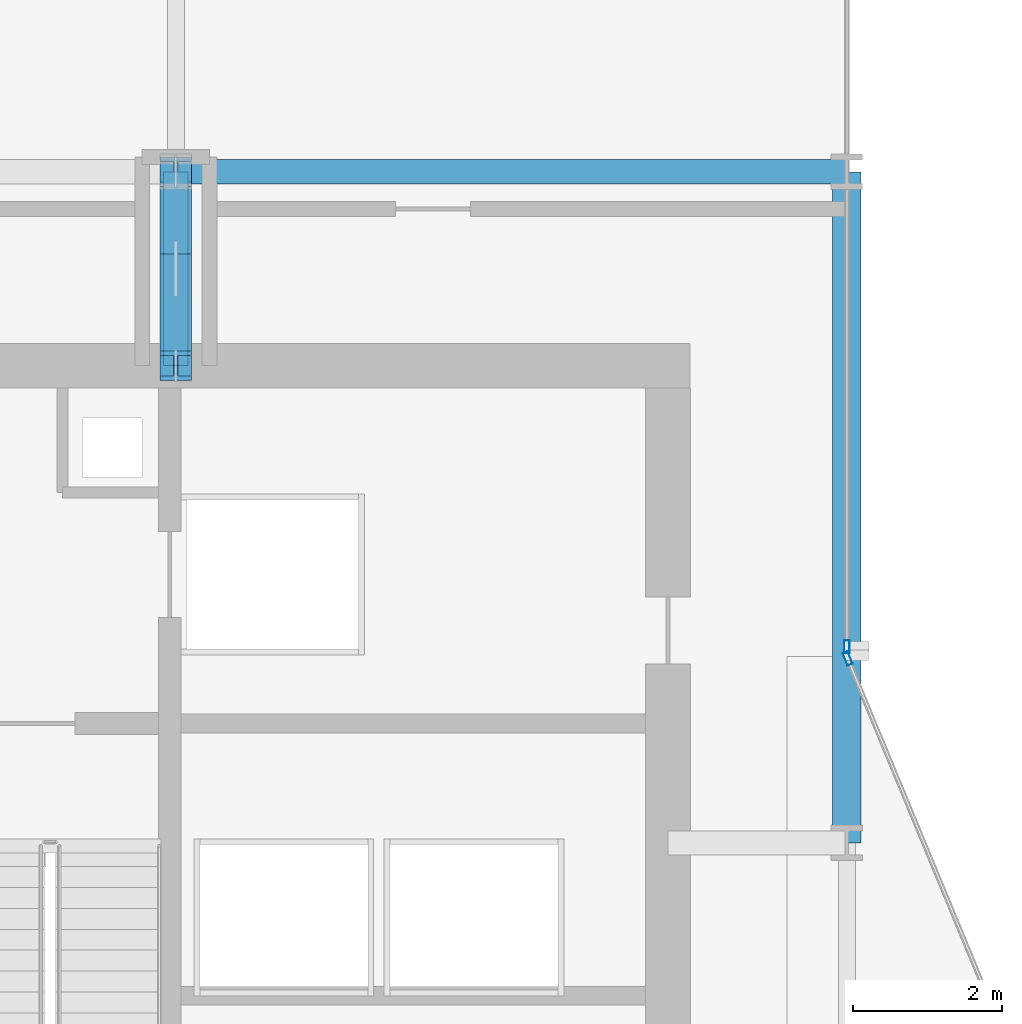
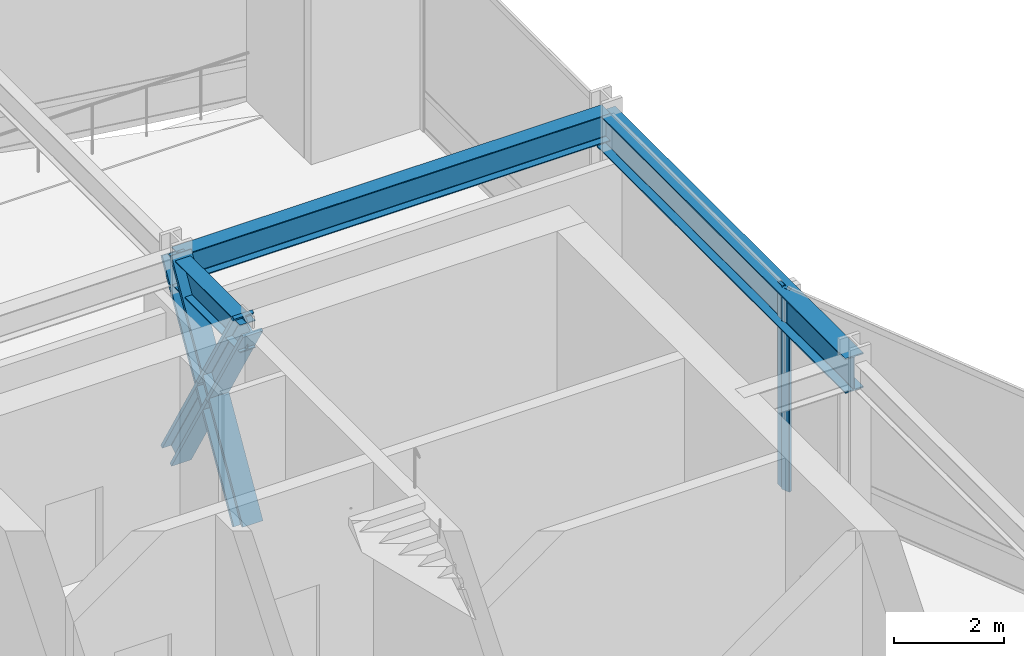
# One storey, part 23 of 42: 5 members, 3 beams, 2 elements without a shape of their own.
"""IFC4 building model written with IfcOpenShell, lengths in metres."""

from ifc_helpers import new_model, si_unit, direction, frame, origin, origin_2d, place, context, subcontext, project, spatial, hollow_rectangle, i_section, extrude, material, layer, layer_set, material_profile, profile_set, type_object, element, aggregate, save


model = new_model("IFC4")

# Units and contexts
model_context = context("Model", 3, precision=1e-05, world=origin(), true_north=direction((0.0, 1.0)))
body_context = subcontext(model_context, "Body", "Model", "MODEL_VIEW")
ifc_project = project(units=[si_unit("LENGTHUNIT", "METRE"), si_unit("AREAUNIT", "SQUARE_METRE"), si_unit("VOLUMEUNIT", "CUBIC_METRE"), si_unit("PLANEANGLEUNIT", "RADIAN"), si_unit("MASSUNIT", "GRAM", prefix="KILO")], contexts=[model_context])

# Site, building, storey
site_placement = place(None, origin())
site = spatial("IfcSite", under=ifc_project, at=site_placement, CompositionType="ELEMENT")
building_placement = place(site_placement, origin())
building = spatial("IfcBuilding", under=site, at=building_placement, Name="Solvaryn Broadcast Tower", CompositionType="ELEMENT")
storey_placement = place(building_placement, frame((0.0, 0.0, 100.199951171875)))
storey = spatial("IfcBuildingStorey", under=building, at=storey_placement, Name="L24", CompositionType="ELEMENT", Elevation=100.199951171875)

# Beams
ifc_material_1 = material(Name="Steel ASTM A992 Grade 50", Category="steel")
ifc_material_profile_1 = material_profile(ifc_material_1, i_section(OverallWidth=0.323974609375, OverallDepth=0.611083984375, WebThickness=0.0126953125, FlangeThickness=0.01904296875, FilletRadius=0.014892578125, at=origin_2d()))
ifc_profile_set_1 = profile_set([ifc_material_profile_1], Name="Steel ASTM A992 Grade 50")
beam_type_1 = type_object("IfcBeamType", Name="BM-B1-W24X104", PredefinedType="BEAM", material=ifc_profile_set_1)
beam_1_placement = place(storey_placement, frame((18.0, 45.0, 4.16455078125), z_axis=(1.0, 0.0, 0.0), x_axis=(0.0, 1.0, 0.0)))
element("IfcBeam", 1, at=beam_1_placement, inside=storey, type_object=beam_type_1, Name="L24 Primary Beam X (18-27 @ Y=45)", PredefinedType="BEAM", context=body_context, shape_type="SweptSolid", body=[
    extrude(i_section(OverallWidth=0.323974609375, OverallDepth=0.611083984375, WebThickness=0.0126953125, FlangeThickness=0.01904296875, FilletRadius=0.014892578125, at=origin_2d()), origin(), (0.0, 0.0, 1.0), 9.0),
])
beam_2_placement = place(storey_placement, frame((18.0, 42.39990234375, 4.16455078125), z_axis=(0.0, 1.0, 0.0), x_axis=(-1.0, 0.0, 0.0)))
element("IfcBeam", 2, at=beam_2_placement, inside=storey, type_object=beam_type_1, Name="L24 Core Tie Beam CTW3", PredefinedType="BEAM", context=body_context, shape_type="SweptSolid", body=[
    extrude(i_section(OverallWidth=0.323974609375, OverallDepth=0.611083984375, WebThickness=0.0126953125, FlangeThickness=0.01904296875, FilletRadius=0.014892578125, at=origin_2d()), origin(), (0.0, 0.0, 1.0), 2.60009765625),
])
ifc_material_2 = material(Name="Steel ASTM A992 Grade 50", Category="steel")
ifc_material_profile_2 = material_profile(ifc_material_2, i_section(OverallWidth=0.381103515625, OverallDepth=0.77294921875, WebThickness=0.0166015625, FlangeThickness=0.027099609375, FilletRadius=0.01806640625, at=origin_2d()))
ifc_profile_set_2 = profile_set([ifc_material_profile_2], Name="Steel ASTM A992 Grade 50")
beam_type_2 = type_object("IfcBeamType", Name="BM-SP1-W30X173", PredefinedType="USERDEFINED", material=ifc_profile_set_2)
beam_3_placement = place(storey_placement, frame((27.0, 36.0, 4.08349609375), z_axis=(0.0, 1.0, 0.0), x_axis=(-1.0, 0.0, 0.0)))
element("IfcBeam", 3, at=beam_3_placement, inside=storey, type_object=beam_type_2, Name="L24 Spandrel Beam Y (36-45 @ X=27)", ObjectType="SPANDREL", PredefinedType="USERDEFINED", context=body_context, shape_type="SweptSolid", body=[
    extrude(i_section(OverallWidth=0.381103515625, OverallDepth=0.77294921875, WebThickness=0.0166015625, FlangeThickness=0.027099609375, FilletRadius=0.01806640625, at=origin_2d()), origin(), (0.0, 0.0, 1.0), 9.0),
])

# Curtain wall, member
ifc_material_3 = material(Name="Aluminium and Terracotta Unitised Curtain Wall", Category="masonry")
ifc_layer = layer(ifc_material_3, 0.199951171875)
ifc_layer_set = layer_set([ifc_layer], Name="CW-SYS2-LOWMID")
curtain_wall_type = type_object("IfcCurtainWallType", Name="CW-SYS2-LOWMID", PredefinedType="NOTDEFINED", material=ifc_layer_set)
curtain_wall_1_placement = place(storey_placement, origin())
curtain_wall_1 = element("IfcCurtainWall", 4, at=curtain_wall_1_placement, inside=storey, type_object=curtain_wall_type, Name="L24 Curtain Wall IV", PredefinedType="NOTDEFINED")
ifc_material_4 = material(Name="Anodised Aluminium 6063-T6", Category="aluminium")
ifc_material_profile_3 = material_profile(ifc_material_4, hollow_rectangle(XDim=0.074951171875, YDim=0.179931640625, WallThickness=0.00390625, InnerFilletRadius=0.00390625, OuterFilletRadius=0.008056640625, at=origin_2d()))
ifc_profile_set_3 = profile_set([ifc_material_profile_3], Name="Anodised Aluminium 6063-T6")
member_type_1 = type_object("IfcMemberType", Name="CW-MUL-180", PredefinedType="MULLION", material=ifc_profile_set_3)
member_1_placement = place(storey_placement, frame((27.0, 38.6298828125, 0.0), z_axis=(0.0, 0.0, 1.0), x_axis=(1.0, 0.0, 0.0)))
member_1 = element("IfcMember", 5, at=member_1_placement, type_object=member_type_1, Name="CWS2 mullion 2", PredefinedType="MULLION", context=body_context, shape_type="SweptSolid", body=[
    extrude(hollow_rectangle(XDim=0.074951171875, YDim=0.179931640625, WallThickness=0.00390625, InnerFilletRadius=0.00390625, OuterFilletRadius=0.008056640625, at=origin_2d()), origin(), (0.0, 0.0, 1.0), 4.469970703125),
])
aggregate(curtain_wall_1, [member_1])

curtain_wall_2_placement = place(storey_placement, origin())
curtain_wall_2 = element("IfcCurtainWall", 6, at=curtain_wall_2_placement, inside=storey, type_object=curtain_wall_type, Name="L24 Curtain Wall CN2", PredefinedType="NOTDEFINED")
member_2_placement = place(storey_placement, frame((27.011474609375, 38.47216796875, 0.0), z_axis=(0.0, 0.0, 1.0), x_axis=(-0.923894983957, -0.382646127145, 0.0)))
member_2 = element("IfcMember", 7, at=member_2_placement, type_object=member_type_1, Name="CWS2 mullion 2", PredefinedType="MULLION", context=body_context, shape_type="SweptSolid", body=[
    extrude(hollow_rectangle(XDim=0.074951171875, YDim=0.179931640625, WallThickness=0.00390625, InnerFilletRadius=0.00390625, OuterFilletRadius=0.008056640625, at=origin_2d()), origin(), (0.0, 0.0, 1.0), 4.469970703125),
])
aggregate(curtain_wall_2, [member_2])

# Members
ifc_material_5 = material(Name="Steel ASTM A913 Grade 65", Category="steel")
ifc_material_profile_4 = material_profile(ifc_material_5, i_section(OverallWidth=0.41796875, OverallDepth=0.455078125, WebThickness=0.0419921875, FlangeThickness=0.067626953125, FilletRadius=0.014892578125, at=origin_2d()))
ifc_profile_set_4 = profile_set([ifc_material_profile_4], Name="Steel ASTM A913 Grade 65")
member_type_2 = type_object("IfcMemberType", Name="MB-OUTRIGGER-1", PredefinedType="BRACE", material=ifc_profile_set_4)
member_3_placement = place(storey_placement, frame((18.0, 42.39990234375, 0.02001953125), z_axis=(0.0, 0.506189041356, 0.862422549804), x_axis=(-1.0, 0.0, 0.0)))
element("IfcMember", 8, at=member_3_placement, inside=storey, type_object=member_type_2, Name="L24 Outrigger X-Brace N Continuous Diagonal", PredefinedType="BRACE", context=body_context, shape_type="SweptSolid", body=[
    extrude(i_section(OverallWidth=0.41796875, OverallDepth=0.455078125, WebThickness=0.0419921875, FlangeThickness=0.067626953125, FilletRadius=0.014892578125, at=origin_2d()), origin(), (0.0, 0.0, 1.0), 5.13671875),
])
member_4_placement = place(storey_placement, frame((18.0, 42.39990234375, 4.449951171875), z_axis=(0.0, 0.506209791003, -0.862410370701), x_axis=(-1.0, 0.0, 0.0)))
element("IfcMember", 9, at=member_4_placement, inside=storey, type_object=member_type_2, Name="L24 Outrigger X-Brace N Split Diagonal Lower", PredefinedType="BRACE", context=body_context, shape_type="SweptSolid", body=[
    extrude(i_section(OverallWidth=0.41796875, OverallDepth=0.455078125, WebThickness=0.0419921875, FlangeThickness=0.067626953125, FilletRadius=0.014892578125, at=origin_2d()), origin(), (0.0, 0.0, 1.0), 2.568115234375),
])
member_5_placement = place(storey_placement, frame((18.0, 43.699951171875, 2.235107421875), z_axis=(0.0, 0.506168293118, -0.86243472741), x_axis=(-1.0, 0.0, 0.0)))
element("IfcMember", 10, at=member_5_placement, inside=storey, type_object=member_type_2, Name="L24 Outrigger X-Brace N Split Diagonal Upper", PredefinedType="BRACE", context=body_context, shape_type="SweptSolid", body=[
    extrude(i_section(OverallWidth=0.41796875, OverallDepth=0.455078125, WebThickness=0.0419921875, FlangeThickness=0.067626953125, FilletRadius=0.014892578125, at=origin_2d()), origin(), (0.0, 0.0, 1.0), 2.568359375),
])

save(model, "model.ifc")
